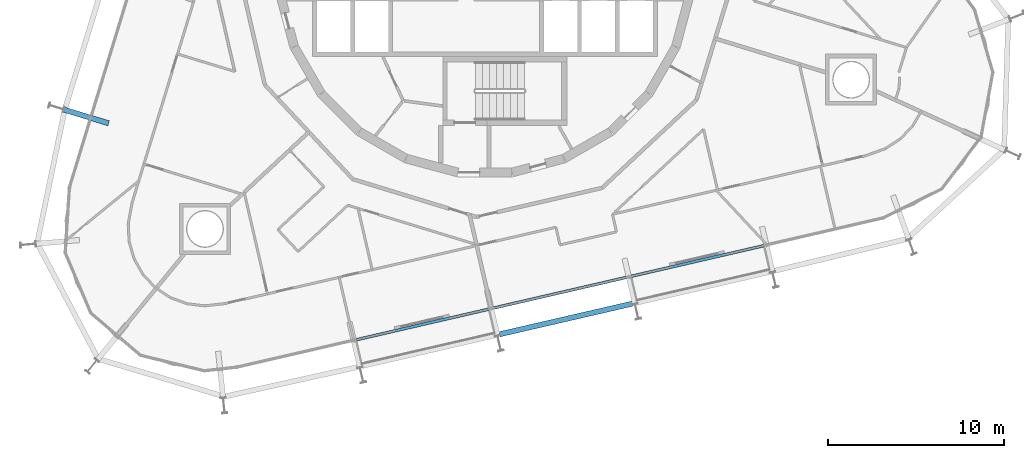
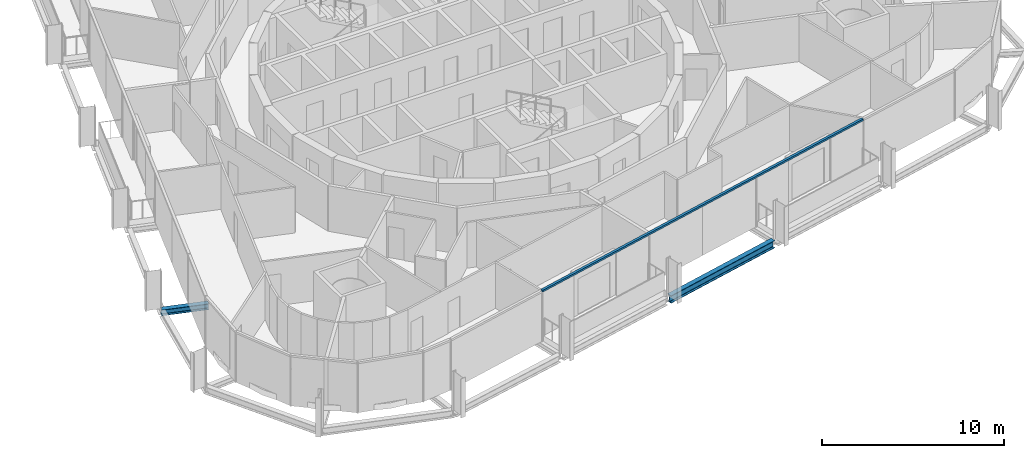
# One storey, part 4 of 18: 2 beams, 1 member, 1 element without a shape of its own.
"""IFC4 building model written with IfcOpenShell, lengths in metres."""

from ifc_helpers import new_model, si_unit, direction, frame, origin, origin_2d, place, context, subcontext, project, spatial, rectangle, i_section, extrude, material, layer, layer_set, material_profile, profile_set, type_object, element, aggregate, save


model = new_model("IFC4")

# Units and contexts
model_context = context("Model", 3, precision=1e-05, world=origin(), true_north=direction((0.0, 1.0)))
body_context = subcontext(model_context, "Body", "Model", "MODEL_VIEW")
ifc_project = project(units=[si_unit("LENGTHUNIT", "METRE"), si_unit("AREAUNIT", "SQUARE_METRE"), si_unit("VOLUMEUNIT", "CUBIC_METRE"), si_unit("PLANEANGLEUNIT", "RADIAN"), si_unit("MASSUNIT", "GRAM", prefix="KILO")], contexts=[model_context])

# Site, building, storey
site_placement = place(None, origin())
site = spatial("IfcSite", under=ifc_project, at=site_placement, CompositionType="ELEMENT")
building_placement = place(site_placement, origin())
building = spatial("IfcBuilding", under=site, at=building_placement, Name="Spindle Arch Residences", CompositionType="ELEMENT")
storey_placement = place(building_placement, frame((0.0, 0.0, 141.39990234375)))
storey = spatial("IfcBuildingStorey", under=building, at=storey_placement, Name="L35", CompositionType="ELEMENT", Elevation=141.39990234375)

# Curtain wall, member
ifc_material_1 = material(Name="Aluminium bronze unitised frame with tinted glass", Category="aluminium")
ifc_layer = layer(ifc_material_1, 0.159912109375)
ifc_layer_set = layer_set([ifc_layer], Name="CW-C typical residential unitised wall")
curtain_wall_type = type_object("IfcCurtainWallType", Name="CW-C typical residential unitised wall", PredefinedType="NOTDEFINED", material=ifc_layer_set)
curtain_wall_placement = place(storey_placement, origin())
curtain_wall = element("IfcCurtainWall", 1, at=curtain_wall_placement, inside=storey, type_object=curtain_wall_type, Name="CW-C L35 run 6", PredefinedType="NOTDEFINED")
ifc_material_2 = material(Name="Aluminium bronze anodised transom", Category="aluminium")
ifc_material_profile_1 = material_profile(ifc_material_2, rectangle(XDim=0.159912109375, YDim=0.1201171875, at=origin_2d()), Name="TR 120x160")
ifc_profile_set_1 = profile_set([ifc_material_profile_1], Name="Aluminium bronze anodised transom")
member_type = type_object("IfcMemberType", Name="Bronze transom 120x160", PredefinedType="USERDEFINED", material=ifc_profile_set_1)
member_placement = place(storey_placement, frame((-7.438232421875, -21.187255859375, 2.989990234375), z_axis=(0.974369784879, 0.224952266747, 0.0), x_axis=(-0.224952266747, 0.974369784879, 0.0)))
member = element("IfcMember", 2, at=member_placement, type_object=member_type, Name="CW-C transom 00", ObjectType="TRANSOM", PredefinedType="USERDEFINED", context=body_context, shape_type="SweptSolid", body=[
    extrude(rectangle(XDim=0.159912109375, YDim=0.1201171875, at=origin_2d()), origin(), (0.0, 0.0, 1.0), 24.02734375),
])
aggregate(curtain_wall, [member])

# Beams
ifc_material_3 = material(Name="Steel S460ML, intumescent coating R 120", Category="steel")
ifc_material_profile_2 = material_profile(ifc_material_3, i_section(OverallWidth=0.300048828125, OverallDepth=0.5, WebThickness=0.014404296875, FlangeThickness=0.028076171875, FilletRadius=0.027099609375, at=origin_2d()), Name="HEB 500")
ifc_profile_set_2 = profile_set([ifc_material_profile_2], Name="Steel S460ML, intumescent coating R 120")
beam_type_1 = type_object("IfcBeamType", Name="Exoskeleton edge beam HEB 500", PredefinedType="BEAM", material=ifc_profile_set_2)
beam_1_placement = place(storey_placement, frame((0.82666015625, -20.849365234375, -0.6298828125), z_axis=(0.974366827477, 0.224965076206, 0.0), x_axis=(-0.224965076206, 0.974366827477, 0.0)))
element("IfcBeam", 3, at=beam_1_placement, inside=storey, type_object=beam_type_1, Name="Exoskeleton edge beam 22", PredefinedType="BEAM", context=body_context, shape_type="SweptSolid", body=[
    extrude(i_section(OverallWidth=0.300048828125, OverallDepth=0.5, WebThickness=0.014404296875, FlangeThickness=0.028076171875, FilletRadius=0.027099609375, at=origin_2d()), origin(), (0.0, 0.0, 1.0), 7.769287109375),
])
ifc_material_4 = material(Name="Steel S460ML, intumescent coating R 120", Category="steel")
ifc_material_profile_3 = material_profile(ifc_material_4, i_section(OverallWidth=0.300048828125, OverallDepth=0.389892578125, WebThickness=0.010986328125, FlangeThickness=0.01904296875, FilletRadius=0.027099609375, at=origin_2d()), Name="HEA 400")
ifc_profile_set_3 = profile_set([ifc_material_profile_3], Name="Steel S460ML, intumescent coating R 120")
beam_type_2 = type_object("IfcBeamType", Name="Floor outrigger HEA 400", PredefinedType="BEAM", material=ifc_profile_set_3)
beam_2_placement = place(storey_placement, frame((-23.947265625, -8.0712890625, -0.574951171875), z_axis=(0.956291475666, -0.292415139091, 0.0), x_axis=(0.292415139091, 0.956291475666, 0.0)))
element("IfcBeam", 4, at=beam_2_placement, inside=storey, type_object=beam_type_2, Name="Floor outrigger 17", PredefinedType="BEAM", context=body_context, shape_type="SweptSolid", body=[
    extrude(i_section(OverallWidth=0.300048828125, OverallDepth=0.389892578125, WebThickness=0.010986328125, FlangeThickness=0.01904296875, FilletRadius=0.027099609375, at=origin_2d()), origin(), (0.0, 0.0, 1.0), 2.64990234375),
])

save(model, "model.ifc")
